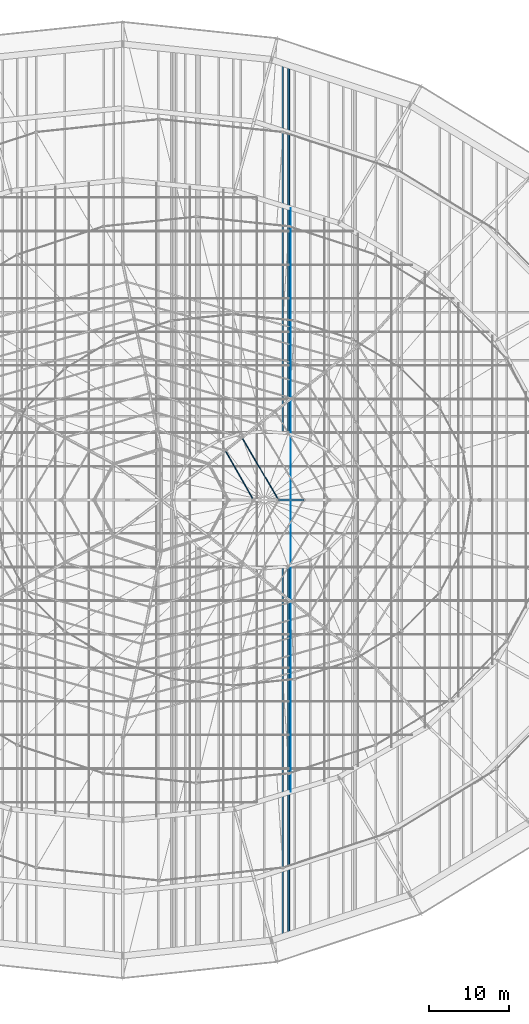
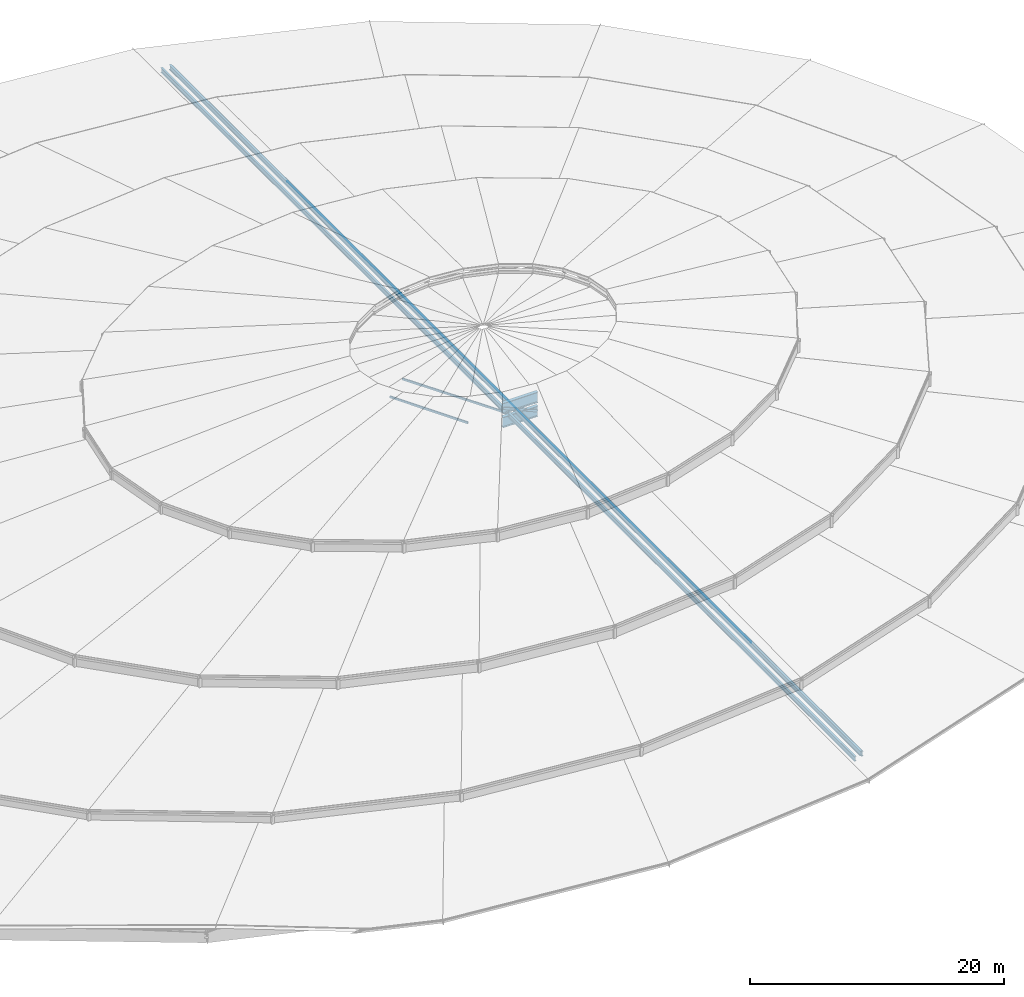
# One storey, part 72 of 184: 7 members, 2 beams.
"""IFC4 building model written with IfcOpenShell, lengths in metres."""

from ifc_helpers import new_model, si_unit, direction, frame, origin, origin_2d, place, context, subcontext, project, spatial, hollow_rectangle, circle, i_section, extrude, material, material_profile, profile_set, type_object, element, save


model = new_model("IFC4")

# Units and contexts
model_context = context("Model", 3, precision=1e-05, world=origin(), true_north=direction((0.0, 1.0)))
body_context = subcontext(model_context, "Body", "Model", "MODEL_VIEW")
ifc_project = project(units=[si_unit("LENGTHUNIT", "METRE"), si_unit("AREAUNIT", "SQUARE_METRE"), si_unit("VOLUMEUNIT", "CUBIC_METRE"), si_unit("PLANEANGLEUNIT", "RADIAN"), si_unit("MASSUNIT", "GRAM", prefix="KILO")], contexts=[model_context])

# Site, building, storey
site_placement = place(None, origin())
site = spatial("IfcSite", under=ifc_project, at=site_placement, CompositionType="ELEMENT")
building_placement = place(site_placement, origin())
building = spatial("IfcBuilding", under=site, at=building_placement, Name="Kalgoora Escarpment Arena", CompositionType="ELEMENT")
storey_placement = place(building_placement, frame((0.0, 0.0, 27.60009765625)))
storey = spatial("IfcBuildingStorey", under=building, at=storey_placement, Name="Roof Level", CompositionType="ELEMENT", Elevation=27.60009765625)

# Beams
ifc_material_1 = material(Name="Structural steel Grade 350 (350 MPa)", Category="steel")
ifc_material_profile_1 = material_profile(ifc_material_1, i_section(OverallWidth=0.300048828125, OverallDepth=1.010009765625, WebThickness=0.01611328125, FlangeThickness=0.030029296875, at=origin_2d()))
ifc_profile_set_1 = profile_set([ifc_material_profile_1], Name="Structural steel Grade 350 (350 MPa)")
beam_type = type_object("IfcBeamType", Name="BM-TRUSS-CHORD", PredefinedType="USERDEFINED", material=ifc_profile_set_1)
for number, where, z_axis, x_axis, name in (
    (1, (115.031982421875, 64.0, -1.614990234375), (-0.999998809254, 0.0, 0.001543208039), (0.0, -1.0, 0.0), "Radial ROOF TRUSS spine 1 bottom chord 9"),
    (2, (115.031982421875, 64.0, -0.280029296875), (-0.999994995918, 0.0, 0.003163564416), (0.0, -1.0, 0.0), "Radial ROOF TRUSS spine 1 top chord 9"),
):
    element("IfcBeam", number, at=place(storey_placement, frame(where, z_axis=z_axis, x_axis=x_axis)), inside=storey, type_object=beam_type, Name=name, ObjectType="GIRDER", PredefinedType="USERDEFINED", context=body_context, shape_type="SweptSolid", body=[
        extrude(i_section(OverallWidth=0.300048828125, OverallDepth=1.010009765625, WebThickness=0.01611328125, FlangeThickness=0.030029296875, at=origin_2d()), origin(), (0.0, 0.0, 1.0), 3.1640625),
    ])

# Members
ifc_material_2 = material(Name="High-tensile spiral strand steel Grade 450 (350 MPa)", Category="steel")
ifc_material_profile_2 = material_profile(ifc_material_2, circle(Radius=0.028076171875, at=origin_2d()))
ifc_profile_set_2 = profile_set([ifc_material_profile_2], Name="High-tensile spiral strand steel Grade 450 (350 MPa)")
member_type_1 = type_object("IfcMemberType", Name="MEM-CABLE-56", PredefinedType="USERDEFINED", material=ifc_profile_set_2)
member_1_placement = place(storey_placement, frame((113.39990234375, 27.51806640625, -1.190185546875), z_axis=(0.0, 1.0, 0.0), x_axis=(-1.0, 0.0, 0.0)))
element("IfcMember", 3, at=member_1_placement, inside=storey, type_object=member_type_1, Name="Roof saddle pretensioning cable Y-35", ObjectType="CABLE", PredefinedType="USERDEFINED", context=body_context, shape_type="SweptSolid", body=[
    extrude(circle(Radius=0.028076171875, at=origin_2d()), origin(), (0.0, 0.0, 1.0), 72.9638671875),
])
ifc_material_3 = material(Name="Structural steel AS/NZS 3679 (300 MPa)", Category="steel")
ifc_material_profile_3 = material_profile(ifc_material_3, i_section(OverallWidth=0.19091796875, OverallDepth=0.4599609375, WebThickness=0.010009765625, FlangeThickness=0.01611328125, at=origin_2d()))
ifc_profile_set_3 = profile_set([ifc_material_profile_3], Name="Structural steel AS/NZS 3679 (300 MPa)")
member_type_2 = type_object("IfcMemberType", Name="MEM-CARRIER-CHORD", PredefinedType="CHORD", material=ifc_profile_set_3)
member_2_placement = place(storey_placement, frame((112.425537109375, 9.41650390625, -1.080078125), z_axis=(0.0, 1.0, 0.0), x_axis=(-1.0, 0.0, 0.0)))
element("IfcMember", 4, at=member_2_placement, inside=storey, type_object=member_type_2, Name="Petal RP2 spanning carrier chord C06", PredefinedType="CHORD", context=body_context, shape_type="SweptSolid", body=[
    extrude(i_section(OverallWidth=0.19091796875, OverallDepth=0.4599609375, WebThickness=0.010009765625, FlangeThickness=0.01611328125, at=origin_2d()), origin(), (0.0, 0.0, 1.0), 109.1669921875),
])
member_3_placement = place(storey_placement, frame((113.195068359375, 9.669677734375, -1.02001953125), z_axis=(0.0, 1.0, 0.0), x_axis=(-1.0, 0.0, 0.0)))
element("IfcMember", 5, at=member_3_placement, inside=storey, type_object=member_type_2, Name="Petal RP3 spanning carrier chord C06", PredefinedType="CHORD", context=body_context, shape_type="SweptSolid", body=[
    extrude(i_section(OverallWidth=0.19091796875, OverallDepth=0.4599609375, WebThickness=0.010009765625, FlangeThickness=0.01611328125, at=origin_2d()), origin(), (0.0, 0.0, 1.0), 108.66064453125),
])
member_4_placement = place(storey_placement, frame((113.060546875, 9.625244140625, -0.900146484375), z_axis=(0.0, 1.0, 0.0), x_axis=(-1.0, 0.0, 0.0)))
element("IfcMember", 6, at=member_4_placement, inside=storey, type_object=member_type_2, Name="Crown dome spanning carrier chord C06", PredefinedType="CHORD", context=body_context, shape_type="SweptSolid", body=[
    extrude(i_section(OverallWidth=0.19091796875, OverallDepth=0.4599609375, WebThickness=0.010009765625, FlangeThickness=0.01611328125, at=origin_2d()), origin(), (0.0, 0.0, 1.0), 108.74951171875),
])
ifc_material_4 = material(Name="Structural steel C350 (350 MPa)", Category="steel")
ifc_material_profile_4 = material_profile(ifc_material_4, hollow_rectangle(XDim=0.10009765625, YDim=0.199951171875, WallThickness=0.009033203125, at=origin_2d()))
ifc_profile_set_4 = profile_set([ifc_material_profile_4], Name="Structural steel C350 (350 MPa)")
member_type_3 = type_object("IfcMemberType", Name="MEM-PURLIN-RHS", PredefinedType="PURLIN", material=ifc_profile_set_4)
member_5_placement = place(storey_placement, frame((111.8798828125, 64.0, -0.6201171875), z_axis=(-0.506081500195, 0.862485660843, 0.0), x_axis=(-0.862485660843, -0.506081500195, 0.0)))
element("IfcMember", 7, at=member_5_placement, inside=storey, type_object=member_type_3, Name="Roof circumferential purlin ring 9 sector 1", PredefinedType="PURLIN", context=body_context, shape_type="SweptSolid", body=[
    extrude(hollow_rectangle(XDim=0.10009765625, YDim=0.199951171875, WallThickness=0.009033203125, at=origin_2d()), origin(), (0.0, 0.0, 1.0), 9.051025390625),
])
member_6_placement = place(storey_placement, frame((108.739990234375, 64.0, -0.610107421875), z_axis=(-0.495827856929, 0.86842082903, 0.0), x_axis=(-0.86842082903, -0.495827856929, 0.0)))
element("IfcMember", 8, at=member_6_placement, inside=storey, type_object=member_type_3, Name="Roof circumferential purlin ring 10 sector 1", PredefinedType="PURLIN", context=body_context, shape_type="SweptSolid", body=[
    extrude(hollow_rectangle(XDim=0.10009765625, YDim=0.199951171875, WallThickness=0.009033203125, at=origin_2d()), origin(), (0.0, 0.0, 1.0), 7.100341796875),
])
ifc_material_5 = material(Name="Structural steel C350 (350 MPa)", Category="steel")
ifc_material_profile_5 = material_profile(ifc_material_5, hollow_rectangle(XDim=0.199951171875, YDim=0.199951171875, WallThickness=0.009033203125, at=origin_2d()))
ifc_profile_set_5 = profile_set([ifc_material_profile_5], Name="Structural steel C350 (350 MPa)")
member_type_4 = type_object("IfcMemberType", Name="MEM-TRUSS-DIAG", PredefinedType="BRACE", material=ifc_profile_set_5)
member_7_placement = place(storey_placement, frame((115.02001953125, 64.0, -1.614990234375), z_axis=(-0.919230031681, 0.0, 0.393720902234), x_axis=(0.0, 1.0, 0.0)))
element("IfcMember", 9, at=member_7_placement, inside=storey, type_object=member_type_4, Name="Radial ROOF TRUSS spine 1 web diagonal 9", PredefinedType="BRACE", context=body_context, shape_type="SweptSolid", body=[
    extrude(hollow_rectangle(XDim=0.199951171875, YDim=0.199951171875, WallThickness=0.009033203125, at=origin_2d()), origin(), (0.0, 0.0, 1.0), 3.416015625),
])

save(model, "model.ifc")
